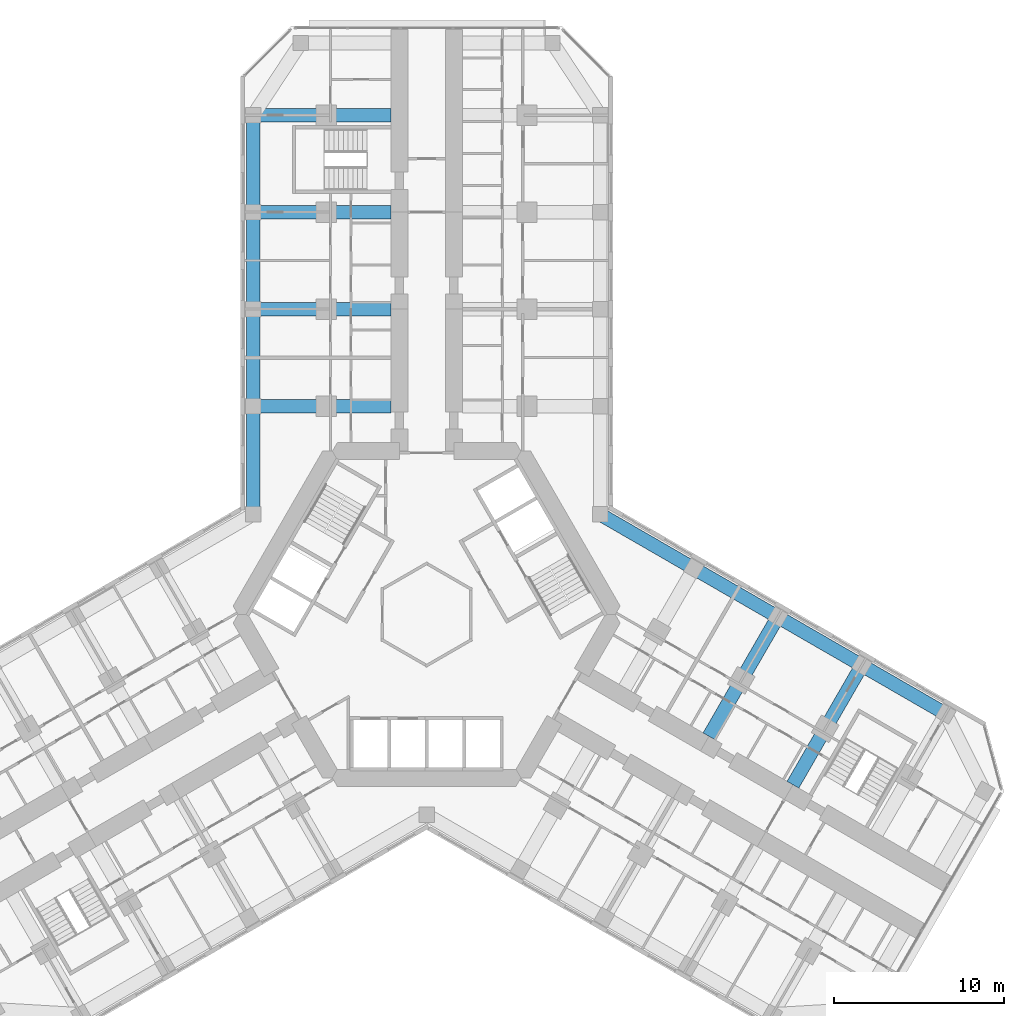
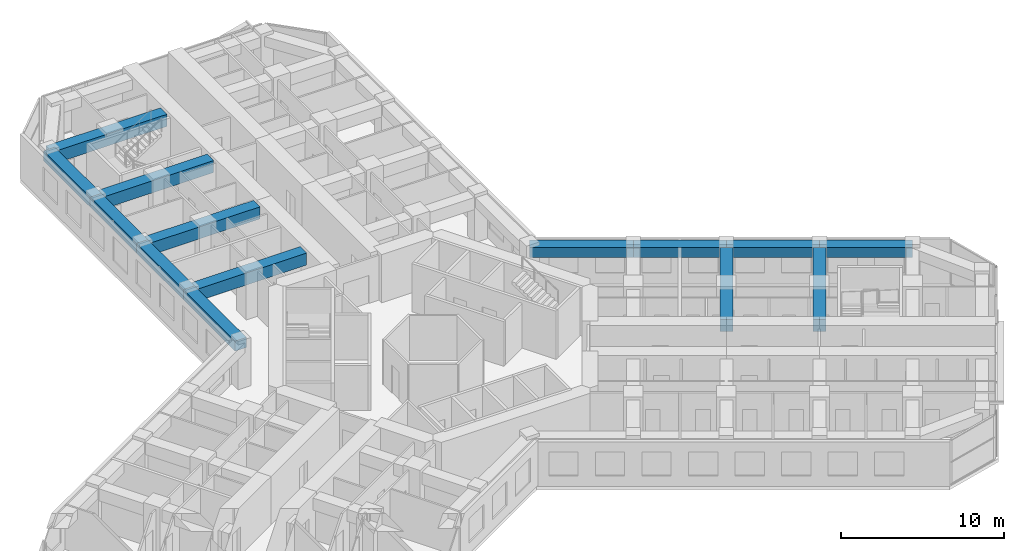
# One storey, part 6 of 22: 14 beams.
"""IFC4 building model written with IfcOpenShell, lengths in metres."""

from ifc_helpers import new_model, si_unit, direction, frame, origin, origin_2d, place, context, subcontext, project, spatial, rectangle, extrude, material, material_profile, profile_set, type_object, element, save


model = new_model("IFC4")

# Units and contexts
model_context = context("Model", 3, precision=1e-05, world=origin(), true_north=direction((0.0, 1.0)))
body_context = subcontext(model_context, "Body", "Model", "MODEL_VIEW")
ifc_project = project(units=[si_unit("LENGTHUNIT", "METRE"), si_unit("AREAUNIT", "SQUARE_METRE"), si_unit("VOLUMEUNIT", "CUBIC_METRE"), si_unit("PLANEANGLEUNIT", "RADIAN"), si_unit("MASSUNIT", "GRAM", prefix="KILO")], contexts=[model_context])

# Site, building, storey
site_placement = place(None, origin())
site = spatial("IfcSite", under=ifc_project, at=site_placement, CompositionType="ELEMENT")
building_placement = place(site_placement, origin())
building = spatial("IfcBuilding", under=site, at=building_placement, Name="Kosmar Iwan School Tower", CompositionType="ELEMENT")
storey_placement = place(building_placement, frame((0.0, 0.0, 95.199951171875)))
storey = spatial("IfcBuildingStorey", under=building, at=storey_placement, Name="L23", CompositionType="ELEMENT", Elevation=95.199951171875)

# Beams
ifc_material_1 = material(Name="Concrete C50/60", Category="concrete")
ifc_material_profile_1 = material_profile(ifc_material_1, rectangle(XDim=0.800048828125, YDim=0.75, at=origin_2d()), Name="RC 800x750")
ifc_profile_set_1 = profile_set([ifc_material_profile_1], Name="Concrete C50/60")
beam_type_1 = type_object("IfcBeamType", Name="RC edge beam 800x750", PredefinedType="BEAM", material=ifc_profile_set_1)
beam_1_placement = place(storey_placement, frame((-10.199951171875, 5.888916015625, 2.97509765625), z_axis=(0.0, 1.0, 0.0), x_axis=(-1.0, 0.0, 0.0)))
element("IfcBeam", 1, at=beam_1_placement, inside=storey, type_object=beam_type_1, Name="Edge beam AL1", PredefinedType="BEAM", context=body_context, shape_type="SweptSolid", body=[
    extrude(rectangle(XDim=0.800048828125, YDim=0.75, at=origin_2d()), origin(), (0.0, 0.0, 1.0), 6.361083984375),
])
for number, where, z_axis, x_axis, name in (
    (2, (-10.199951171875, 12.25, 2.97509765625), (0.0, 1.0, 0.0), (-1.0, 0.0, 0.0), "Edge beam AL2"),
    (3, (-10.199951171875, 17.949951171875, 2.97509765625), (0.0, 1.0, 0.0), (-1.0, 0.0, 0.0), "Edge beam AL3"),
):
    element("IfcBeam", number, at=place(storey_placement, frame(where, z_axis=z_axis, x_axis=x_axis)), inside=storey, type_object=beam_type_1, Name=name, PredefinedType="BEAM", context=body_context, shape_type="SweptSolid", body=[
        extrude(rectangle(XDim=0.800048828125, YDim=0.75, at=origin_2d()), origin(), (0.0, 0.0, 1.0), 5.699951171875),
    ])
beam_2_placement = place(storey_placement, frame((-10.199951171875, 23.64990234375, 2.97509765625), z_axis=(0.0, 1.0, 0.0), x_axis=(-1.0, 0.0, 0.0)))
element("IfcBeam", 4, at=beam_2_placement, inside=storey, type_object=beam_type_1, Name="Edge beam AL4", PredefinedType="BEAM", context=body_context, shape_type="SweptSolid", body=[
    extrude(rectangle(XDim=0.800048828125, YDim=0.75, at=origin_2d()), origin(), (0.0, 0.0, 1.0), 5.7001953125),
])
beam_3_placement = place(storey_placement, frame((10.199951171875, 5.888916015625, 2.97509765625), z_axis=(0.866030912664, -0.49999045822, 0.0), x_axis=(0.49999045822, 0.866030912664, 0.0)))
element("IfcBeam", 5, at=beam_3_placement, inside=storey, type_object=beam_type_1, Name="Edge beam CL1", PredefinedType="BEAM", context=body_context, shape_type="SweptSolid", body=[
    extrude(rectangle(XDim=0.800048828125, YDim=0.75, at=origin_2d()), origin(), (0.0, 0.0, 1.0), 6.36083984375),
])
beam_4_placement = place(storey_placement, frame((15.708740234375, 2.70849609375, 2.97509765625), z_axis=(0.866025820012, -0.499999279071, 0.0), x_axis=(0.499999279071, 0.866025820012, 0.0)))
element("IfcBeam", 6, at=beam_4_placement, inside=storey, type_object=beam_type_1, Name="Edge beam CL2", PredefinedType="BEAM", context=body_context, shape_type="SweptSolid", body=[
    extrude(rectangle(XDim=0.800048828125, YDim=0.75, at=origin_2d()), origin(), (0.0, 0.0, 1.0), 5.7001953125),
])
for number, where, z_axis, x_axis, name in (
    (7, (20.645263671875, -0.1416015625, 2.97509765625), (0.866033658841, -0.49998570155, 0.0), (0.49998570155, 0.866033658841, 0.0), "Edge beam CL3"),
    (8, (25.58154296875, -2.991455078125, 2.97509765625), (0.866015111908, -0.50001782563, 0.0), (0.50001782563, 0.866015111908, 0.0), "Edge beam CL4"),
):
    element("IfcBeam", number, at=place(storey_placement, frame(where, z_axis=z_axis, x_axis=x_axis)), inside=storey, type_object=beam_type_1, Name=name, PredefinedType="BEAM", context=body_context, shape_type="SweptSolid", body=[
        extrude(rectangle(XDim=0.800048828125, YDim=0.75, at=origin_2d()), origin(), (0.0, 0.0, 1.0), 5.699951171875),
    ])
ifc_material_2 = material(Name="Concrete C50/60", Category="concrete")
ifc_material_profile_2 = material_profile(ifc_material_2, rectangle(XDim=0.800048828125, YDim=0.89990234375, at=origin_2d()), Name="RC 800x900")
ifc_profile_set_2 = profile_set([ifc_material_profile_2], Name="Concrete C50/60")
beam_type_2 = type_object("IfcBeamType", Name="RC transverse beam 800x900", PredefinedType="BEAM", material=ifc_profile_set_2)
for number, where, z_axis, x_axis, name in (
    (9, (-10.199951171875, 12.25, 2.900146484375), (1.0, 0.0, 0.0), (0.0, 1.0, 0.0), "Transverse beam AL1"),
    (10, (-10.199951171875, 17.949951171875, 2.900146484375), (1.0, 0.0, 0.0), (0.0, 1.0, 0.0), "Transverse beam AL2"),
    (11, (-10.199951171875, 23.64990234375, 2.900146484375), (1.0, 0.0, 0.0), (0.0, 1.0, 0.0), "Transverse beam AL3"),
    (12, (-10.199951171875, 29.35009765625, 2.900146484375), (1.0, 0.0, 0.0), (0.0, 1.0, 0.0), "Transverse beam AL4"),
    (13, (20.645263671875, -0.1416015625, 2.900146484375), (-0.500012932018, -0.866017937352, 0.0), (0.866017937352, -0.500012932018, 0.0), "Transverse beam CL2"),
):
    element("IfcBeam", number, at=place(storey_placement, frame(where, z_axis=z_axis, x_axis=x_axis)), inside=storey, type_object=beam_type_2, Name=name, PredefinedType="BEAM", context=body_context, shape_type="SweptSolid", body=[
        extrude(rectangle(XDim=0.800048828125, YDim=0.89990234375, at=origin_2d()), origin(), (0.0, 0.0, 1.0), 8.099853515625),
    ])
beam_5_placement = place(storey_placement, frame((25.58154296875, -2.991455078125, 2.900146484375), z_axis=(-0.499999880539, -0.866025472755, 0.0), x_axis=(0.866025472755, -0.499999880539, 0.0)))
element("IfcBeam", 14, at=beam_5_placement, inside=storey, type_object=beam_type_2, Name="Transverse beam CL3", PredefinedType="BEAM", context=body_context, shape_type="SweptSolid", body=[
    extrude(rectangle(XDim=0.800048828125, YDim=0.89990234375, at=origin_2d()), origin(), (0.0, 0.0, 1.0), 8.10009765625),
])

save(model, "model.ifc")
